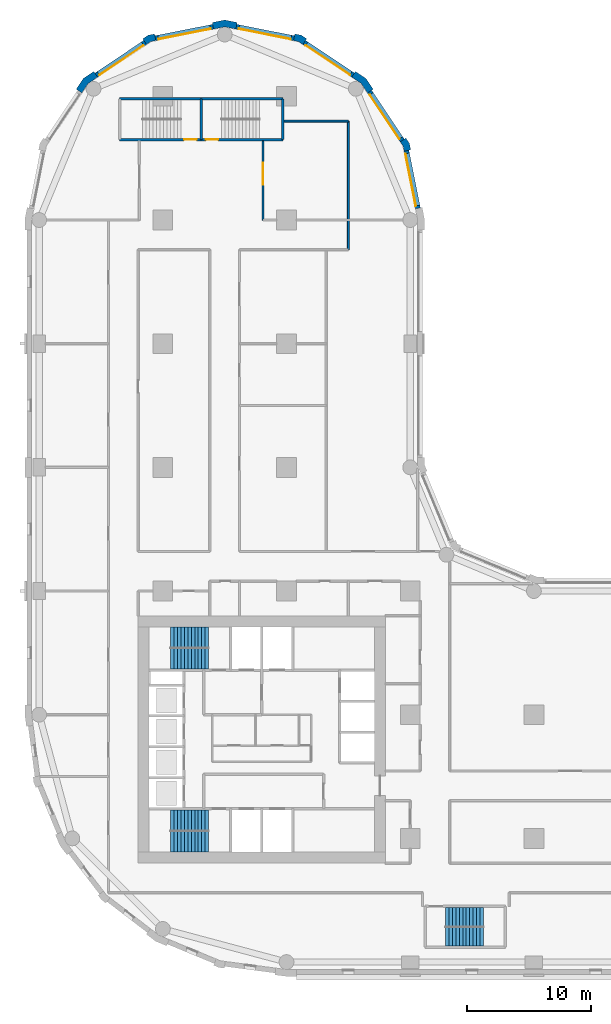
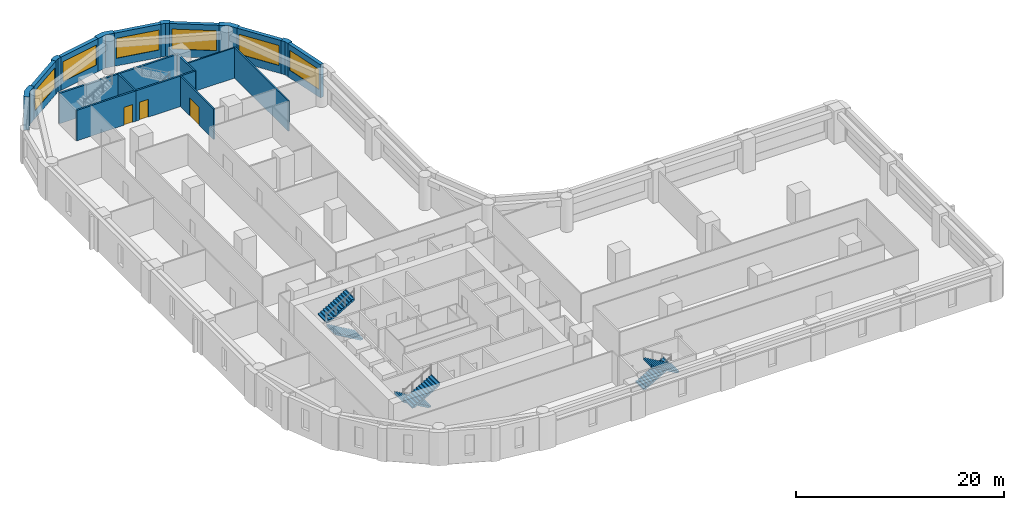
# One storey, part 7 of 10: 21 walls, 6 stair flights, 6 windows, 3 doors, 9 openings, 3 elements without a shape of their own.
"""IFC4 building model written with IfcOpenShell, lengths in metres."""

from ifc_helpers import new_model, si_unit, direction, frame, frame_2d, origin, place, context, subcontext, project, spatial, polyline, rectangle, outline, extrude, material, layer, layer_set, type_object, element, fill, aggregate, save


model = new_model("IFC4")

# Units and contexts
model_context = context("Model", 3, precision=1e-05, world=origin(), true_north=direction((0.0, 1.0)))
body_context = subcontext(model_context, "Body", "Model", "MODEL_VIEW")
ifc_project = project(units=[si_unit("LENGTHUNIT", "METRE"), si_unit("AREAUNIT", "SQUARE_METRE"), si_unit("VOLUMEUNIT", "CUBIC_METRE"), si_unit("PLANEANGLEUNIT", "RADIAN"), si_unit("MASSUNIT", "GRAM", prefix="KILO")], contexts=[model_context])

# Site, building, storey
site_placement = place(None, origin())
site = spatial("IfcSite", under=ifc_project, at=site_placement, CompositionType="ELEMENT")
building_placement = place(site_placement, origin())
building = spatial("IfcBuilding", under=site, at=building_placement, Name="Qaws Garden Tower", CompositionType="ELEMENT")
storey_placement = place(building_placement, frame((0.0, 0.0, 66.60009765625)))
storey = spatial("IfcBuildingStorey", under=building, at=storey_placement, Name="L16", CompositionType="ELEMENT", Elevation=66.60009765625)

# Wall, opening, window
ifc_material_1 = material(Name="Clay facing brick masonry", Category="masonry")
ifc_layer_1 = layer(ifc_material_1, 0.39990234375)
ifc_layer_set_1 = layer_set([ifc_layer_1], Name="Clay facing brick masonry")
wall_type_1 = type_object("IfcWallType", Name="Brick infill wall 400", PredefinedType="SOLIDWALL", material=ifc_layer_set_1)
wall_1_placement = place(storey_placement, frame((30.628662109375, 60.940673828125, 0.0), z_axis=(0.0, 0.0, 1.0), x_axis=(-0.195098533057, 0.98078364709, 0.0)))
wall_1 = element("IfcWall", 1, at=wall_1_placement, inside=storey, type_object=wall_type_1, Name="E-L16-infill-15", PredefinedType="SOLIDWALL", context=body_context, shape_type="SweptSolid", body=[
    extrude(rectangle(XDim=4.752685546875, YDim=0.39990234375, at=frame_2d((2.37646484375, 0.0))), origin(), (0.0, 0.0, 1.0), 3.89990234375),
])
opening_1_placement = place(wall_1_placement, frame((0.226318359375, 0.0, 0.89990234375)))
opening_1 = element("IfcOpeningElement", 2, at=opening_1_placement, cuts=wall_1, Name="Opening W06", PredefinedType="OPENING", context=body_context, shape_type="SweptSolid", body=[
    extrude(rectangle(XDim=4.300048828125, YDim=2.35009765625, at=frame_2d((2.14990234375, 1.175048828125))), frame((0.0, 0.2099609375, 0.0), z_axis=(0.0, -1.0, 0.0), x_axis=(1.0, 0.0, 0.0)), (0.0, 0.0, 1.0), 0.419921875),
])
ifc_material_2 = material(Name="Aluminium framed window, clear glazing", Category="aluminium")
window_type = type_object("IfcWindowType", Name="Ribbon window 4300 x 2350", PartitioningType="DOUBLE_PANEL_VERTICAL", PredefinedType="WINDOW", material=ifc_material_2)
window_1_placement = place(opening_1_placement, origin())
window_1 = element("IfcWindow", 3, at=window_1_placement, inside=storey, type_object=window_type, Name="E-L16-window-15-0", OverallHeight=2.35009765625, OverallWidth=4.300048828125, PartitioningType="SINGLE_PANEL", PredefinedType="WINDOW", context=body_context, shape_type="SweptSolid", body=[
    extrude(rectangle(XDim=4.300048828125, YDim=2.35009765625, at=frame_2d((2.14990234375, 1.175048828125))), frame((0.0, 0.159912109375, 0.0), z_axis=(0.0, -1.0, 0.0), x_axis=(1.0, 0.0, 0.0)), (0.0, 0.0, 1.0), 0.06005859375),
])
fill(opening_1, window_1)

wall_2_placement = place(storey_placement, frame((29.356689453125, 66.43408203125, 0.0), z_axis=(0.0, 0.0, 1.0), x_axis=(-0.555541552266, 0.831488775454, 0.0)))
wall_2 = element("IfcWall", 4, at=wall_2_placement, inside=storey, type_object=wall_type_1, Name="E-L16-infill-16", PredefinedType="SOLIDWALL", context=body_context, shape_type="SweptSolid", body=[
    extrude(rectangle(XDim=4.752685546875, YDim=0.39990234375, at=frame_2d((2.37646484375, 0.0))), origin(), (0.0, 0.0, 1.0), 3.89990234375),
])
opening_2_placement = place(wall_2_placement, frame((0.226318359375, 0.0, 0.89990234375)))
opening_2 = element("IfcOpeningElement", 5, at=opening_2_placement, cuts=wall_2, Name="Opening W06", PredefinedType="OPENING", context=body_context, shape_type="SweptSolid", body=[
    extrude(rectangle(XDim=4.300048828125, YDim=2.35009765625, at=frame_2d((2.14990234375, 1.175048828125))), frame((0.0, 0.2099609375, 0.0), z_axis=(0.0, -1.0, 0.0), x_axis=(1.0, 0.0, 0.0)), (0.0, 0.0, 1.0), 0.419921875),
])
window_2_placement = place(opening_2_placement, origin())
window_2 = element("IfcWindow", 6, at=window_2_placement, inside=storey, type_object=window_type, Name="E-L16-window-16-0", OverallHeight=2.35009765625, OverallWidth=4.300048828125, PartitioningType="SINGLE_PANEL", PredefinedType="WINDOW", context=body_context, shape_type="SweptSolid", body=[
    extrude(rectangle(XDim=4.300048828125, YDim=2.35009765625, at=frame_2d((2.14990234375, 1.175048828125))), frame((0.0, 0.159912109375, 0.0), z_axis=(0.0, -1.0, 0.0), x_axis=(1.0, 0.0, 0.0)), (0.0, 0.0, 1.0), 0.06005859375),
])
fill(opening_2, window_2)

wall_3_placement = place(storey_placement, frame((25.385986328125, 71.71630859375, 0.0), z_axis=(0.0, 0.0, 1.0), x_axis=(-0.831488775454, 0.555541552266, 0.0)))
wall_3 = element("IfcWall", 7, at=wall_3_placement, inside=storey, type_object=wall_type_1, Name="E-L16-infill-17", PredefinedType="SOLIDWALL", context=body_context, shape_type="SweptSolid", body=[
    extrude(rectangle(XDim=4.752685546875, YDim=0.39990234375, at=frame_2d((2.37646484375, 0.0))), origin(), (0.0, 0.0, 1.0), 3.89990234375),
])
opening_3_placement = place(wall_3_placement, frame((0.226318359375, 0.0, 0.89990234375)))
opening_3 = element("IfcOpeningElement", 8, at=opening_3_placement, cuts=wall_3, Name="Opening W06", PredefinedType="OPENING", context=body_context, shape_type="SweptSolid", body=[
    extrude(rectangle(XDim=4.300048828125, YDim=2.35009765625, at=frame_2d((2.14990234375, 1.175048828125))), frame((0.0, 0.2099609375, 0.0), z_axis=(0.0, -1.0, 0.0), x_axis=(1.0, 0.0, 0.0)), (0.0, 0.0, 1.0), 0.419921875),
])
window_3_placement = place(opening_3_placement, origin())
window_3 = element("IfcWindow", 9, at=window_3_placement, inside=storey, type_object=window_type, Name="E-L16-window-17-0", OverallHeight=2.35009765625, OverallWidth=4.300048828125, PartitioningType="SINGLE_PANEL", PredefinedType="WINDOW", context=body_context, shape_type="SweptSolid", body=[
    extrude(rectangle(XDim=4.300048828125, YDim=2.35009765625, at=frame_2d((2.14990234375, 1.175048828125))), frame((0.0, 0.159912109375, 0.0), z_axis=(0.0, -1.0, 0.0), x_axis=(1.0, 0.0, 0.0)), (0.0, 0.0, 1.0), 0.06005859375),
])
fill(opening_3, window_3)

wall_4_placement = place(storey_placement, frame((20.60205078125, 74.701416015625, 0.0), z_axis=(0.0, 0.0, 1.0), x_axis=(-0.98078364709, 0.195098533057, 0.0)))
wall_4 = element("IfcWall", 10, at=wall_4_placement, inside=storey, type_object=wall_type_1, Name="E-L16-infill-18", PredefinedType="SOLIDWALL", context=body_context, shape_type="SweptSolid", body=[
    extrude(rectangle(XDim=4.752685546875, YDim=0.39990234375, at=frame_2d((2.37646484375, 0.0))), origin(), (0.0, 0.0, 1.0), 3.89990234375),
])
opening_4_placement = place(wall_4_placement, frame((0.226318359375, 0.0, 0.89990234375)))
opening_4 = element("IfcOpeningElement", 11, at=opening_4_placement, cuts=wall_4, Name="Opening W06", PredefinedType="OPENING", context=body_context, shape_type="SweptSolid", body=[
    extrude(rectangle(XDim=4.300048828125, YDim=2.35009765625, at=frame_2d((2.14990234375, 1.175048828125))), frame((0.0, 0.2099609375, 0.0), z_axis=(0.0, -1.0, 0.0), x_axis=(1.0, 0.0, 0.0)), (0.0, 0.0, 1.0), 0.419921875),
])
window_4_placement = place(opening_4_placement, origin())
window_4 = element("IfcWindow", 12, at=window_4_placement, inside=storey, type_object=window_type, Name="E-L16-window-18-0", OverallHeight=2.35009765625, OverallWidth=4.300048828125, PartitioningType="SINGLE_PANEL", PredefinedType="WINDOW", context=body_context, shape_type="SweptSolid", body=[
    extrude(rectangle(XDim=4.300048828125, YDim=2.35009765625, at=frame_2d((2.14990234375, 1.175048828125))), frame((0.0, 0.159912109375, 0.0), z_axis=(0.0, -1.0, 0.0), x_axis=(1.0, 0.0, 0.0)), (0.0, 0.0, 1.0), 0.06005859375),
])
fill(opening_4, window_4)

wall_5_placement = place(storey_placement, frame((14.059326171875, 75.628662109375, 0.0), z_axis=(0.0, 0.0, 1.0), x_axis=(-0.98078364709, -0.195098533057, 0.0)))
wall_5 = element("IfcWall", 13, at=wall_5_placement, inside=storey, type_object=wall_type_1, Name="E-L16-infill-19", PredefinedType="SOLIDWALL", context=body_context, shape_type="SweptSolid", body=[
    extrude(rectangle(XDim=4.752685546875, YDim=0.39990234375, at=frame_2d((2.37646484375, 0.0))), origin(), (0.0, 0.0, 1.0), 3.89990234375),
])
opening_5_placement = place(wall_5_placement, frame((0.226318359375, 0.0, 0.89990234375)))
opening_5 = element("IfcOpeningElement", 14, at=opening_5_placement, cuts=wall_5, Name="Opening W06", PredefinedType="OPENING", context=body_context, shape_type="SweptSolid", body=[
    extrude(rectangle(XDim=4.300048828125, YDim=2.35009765625, at=frame_2d((2.14990234375, 1.175048828125))), frame((0.0, 0.2099609375, 0.0), z_axis=(0.0, -1.0, 0.0), x_axis=(1.0, 0.0, 0.0)), (0.0, 0.0, 1.0), 0.419921875),
])
window_5_placement = place(opening_5_placement, origin())
window_5 = element("IfcWindow", 15, at=window_5_placement, inside=storey, type_object=window_type, Name="E-L16-window-19-0", OverallHeight=2.35009765625, OverallWidth=4.300048828125, PartitioningType="SINGLE_PANEL", PredefinedType="WINDOW", context=body_context, shape_type="SweptSolid", body=[
    extrude(rectangle(XDim=4.300048828125, YDim=2.35009765625, at=frame_2d((2.14990234375, 1.175048828125))), frame((0.0, 0.159912109375, 0.0), z_axis=(0.0, -1.0, 0.0), x_axis=(1.0, 0.0, 0.0)), (0.0, 0.0, 1.0), 0.06005859375),
])
fill(opening_5, window_5)

wall_6_placement = place(storey_placement, frame((8.56591796875, 74.356689453125, 0.0), z_axis=(0.0, 0.0, 1.0), x_axis=(-0.831488775454, -0.555541552266, 0.0)))
wall_6 = element("IfcWall", 16, at=wall_6_placement, inside=storey, type_object=wall_type_1, Name="E-L16-infill-20", PredefinedType="SOLIDWALL", context=body_context, shape_type="SweptSolid", body=[
    extrude(rectangle(XDim=4.752685546875, YDim=0.39990234375, at=frame_2d((2.37646484375, 0.0))), origin(), (0.0, 0.0, 1.0), 3.89990234375),
])
opening_6_placement = place(wall_6_placement, frame((0.226318359375, 0.0, 0.89990234375)))
opening_6 = element("IfcOpeningElement", 17, at=opening_6_placement, cuts=wall_6, Name="Opening W06", PredefinedType="OPENING", context=body_context, shape_type="SweptSolid", body=[
    extrude(rectangle(XDim=4.300048828125, YDim=2.35009765625, at=frame_2d((2.14990234375, 1.175048828125))), frame((0.0, 0.2099609375, 0.0), z_axis=(0.0, -1.0, 0.0), x_axis=(1.0, 0.0, 0.0)), (0.0, 0.0, 1.0), 0.419921875),
])
window_6_placement = place(opening_6_placement, origin())
window_6 = element("IfcWindow", 18, at=window_6_placement, inside=storey, type_object=window_type, Name="E-L16-window-20-0", OverallHeight=2.35009765625, OverallWidth=4.300048828125, PartitioningType="SINGLE_PANEL", PredefinedType="WINDOW", context=body_context, shape_type="SweptSolid", body=[
    extrude(rectangle(XDim=4.300048828125, YDim=2.35009765625, at=frame_2d((2.14990234375, 1.175048828125))), frame((0.0, 0.159912109375, 0.0), z_axis=(0.0, -1.0, 0.0), x_axis=(1.0, 0.0, 0.0)), (0.0, 0.0, 1.0), 0.06005859375),
])
fill(opening_6, window_6)

# Walls
ifc_material_3 = material(Name="Clay facing brick masonry", Category="masonry")
ifc_layer_2 = layer(ifc_material_3, 0.550048828125)
ifc_layer_set_2 = layer_set([ifc_layer_2], Name="Clay facing brick masonry")
wall_type_2 = type_object("IfcWallType", Name="Brick kink pier 550 x 600", PredefinedType="SOLIDWALL", material=ifc_layer_set_2)
placement = place(storey_placement, origin())
element("IfcWall", 19, at=placement, inside=storey, type_object=wall_type_2, Name="E-L16-pier-16", PredefinedType="SOLIDWALL", context=body_context, shape_type="SweptSolid", body=[
    extrude(outline(polyline([(29.8974609375, 65.64111328125), (30.044677734375, 65.67041015625), (29.94140625, 66.18896484375), (29.647705078125, 66.628662109375), (29.52294921875, 66.545166015625), (29.1904296875, 66.322998046875), (29.42333984375, 65.974365234375), (29.505126953125, 65.56298828125), (29.8974609375, 65.64111328125)])), origin(), (0.0, 0.0, 1.0), 3.89990234375),
])
element("IfcWall", 20, at=placement, inside=storey, type_object=wall_type_2, Name="E-L16-pier-18", PredefinedType="SOLIDWALL", context=body_context, shape_type="SweptSolid", body=[
    extrude(outline(polyline([(21.545166015625, 74.52294921875), (21.628662109375, 74.647705078125), (21.18896484375, 74.94140625), (20.67041015625, 75.044677734375), (20.64111328125, 74.8974609375), (20.56298828125, 74.505126953125), (20.974365234375, 74.42333984375), (21.322998046875, 74.1904296875), (21.545166015625, 74.52294921875)])), origin(), (0.0, 0.0, 1.0), 3.89990234375),
])
element("IfcWall", 21, at=placement, inside=storey, type_object=wall_type_2, Name="E-L16-pier-20", PredefinedType="SOLIDWALL", context=body_context, shape_type="SweptSolid", body=[
    extrude(outline(polyline([(9.35888671875, 74.8974609375), (9.32958984375, 75.044677734375), (8.81103515625, 74.94140625), (8.371337890625, 74.647705078125), (8.454833984375, 74.52294921875), (8.677001953125, 74.1904296875), (9.025634765625, 74.42333984375), (9.43701171875, 74.505126953125), (9.35888671875, 74.8974609375)])), origin(), (0.0, 0.0, 1.0), 3.89990234375),
])
ifc_material_4 = material(Name="Clay facing brick masonry", Category="masonry")
ifc_layer_3 = layer(ifc_material_4, 0.550048828125)
ifc_layer_set_3 = layer_set([ifc_layer_3], Name="Clay facing brick masonry")
wall_type_3 = type_object("IfcWallType", Name="Brick pier 550 x 1600", PredefinedType="SOLIDWALL", material=ifc_layer_set_3)
element("IfcWall", 22, at=placement, inside=storey, type_object=wall_type_3, Name="E-L16-pier-17", PredefinedType="SOLIDWALL", context=body_context, shape_type="SweptSolid", body=[
    extrude(outline(polyline([(26.882568359375, 70.4970703125), (27.00732421875, 70.580322265625), (26.435791015625, 71.435791015625), (25.580322265625, 72.00732421875), (25.4970703125, 71.882568359375), (25.274658203125, 71.550048828125), (26.0390625, 71.0390625), (26.550048828125, 70.274658203125), (26.882568359375, 70.4970703125)])), origin(), (0.0, 0.0, 1.0), 3.89990234375),
])
element("IfcWall", 23, at=placement, inside=storey, type_object=wall_type_3, Name="E-L16-pier-19", PredefinedType="SOLIDWALL", context=body_context, shape_type="SweptSolid", body=[
    extrude(outline(polyline([(15.979736328125, 75.82470703125), (16.009033203125, 75.971923828125), (15.0, 76.172607421875), (13.990966796875, 75.971923828125), (14.020263671875, 75.82470703125), (14.098388671875, 75.432373046875), (15.0, 75.61181640625), (15.901611328125, 75.432373046875), (15.979736328125, 75.82470703125)])), origin(), (0.0, 0.0, 1.0), 3.89990234375),
])
element("IfcWall", 24, at=placement, inside=storey, type_object=wall_type_3, Name="E-L16-pier-21", PredefinedType="SOLIDWALL", context=body_context, shape_type="SweptSolid", body=[
    extrude(outline(polyline([(4.5029296875, 71.882568359375), (4.419677734375, 72.00732421875), (3.564208984375, 71.435791015625), (2.99267578125, 70.580322265625), (3.117431640625, 70.4970703125), (3.449951171875, 70.274658203125), (3.9609375, 71.0390625), (4.725341796875, 71.550048828125), (4.5029296875, 71.882568359375)])), origin(), (0.0, 0.0, 1.0), 3.89990234375),
])

# Wall, opening, door
ifc_material_5 = material(Name="Concrete C80", Category="concrete")
ifc_layer_4 = layer(ifc_material_5, 0.199951171875)
ifc_layer_set_4 = layer_set([ifc_layer_4], Name="Concrete C80")
wall_type_4 = type_object("IfcWallType", Name="Core shaft wall 200 C80", PredefinedType="SHEAR", material=ifc_layer_set_4)
wall_13_placement = place(storey_placement, frame((6.5, 66.5, 0.0), z_axis=(0.0, 0.0, 1.0), x_axis=(1.0, 0.0, 0.0)))
wall_13 = element("IfcWall", 25, at=wall_13_placement, inside=storey, type_object=wall_type_4, Name="Shaft wall", PredefinedType="SHEAR", context=body_context, shape_type="SweptSolid", body=[
    extrude(rectangle(XDim=6.60009765625, YDim=0.199951171875, at=frame_2d((3.300048828125, 0.0))), origin(), (0.0, 0.0, 1.0), 3.579833984375),
])
opening_7_placement = place(wall_13_placement, frame((5.22509765625, 0.0, 0.0)))
opening_7 = element("IfcOpeningElement", 26, at=opening_7_placement, cuts=wall_13, Name="Opening SD13", PredefinedType="OPENING", context=body_context, shape_type="SweptSolid", body=[
    extrude(rectangle(XDim=1.0, YDim=2.10009765625, at=frame_2d((0.5, 1.050048828125))), frame((0.0, 0.10986328125, 0.0), z_axis=(0.0, -1.0, 0.0), x_axis=(1.0, 0.0, 0.0)), (0.0, 0.0, 1.0), 0.219970703125),
])
ifc_material_6 = material(Name="Steel S235", Category="steel")
door_type_1 = type_object("IfcDoorType", Name="Stair door 1000x2100", OperationType="SINGLE_SWING_RIGHT", PredefinedType="DOOR", material=ifc_material_6)
door_1_placement = place(opening_7_placement, origin())
door_1 = element("IfcDoor", 27, at=door_1_placement, inside=storey, type_object=door_type_1, Name="Stair 6 door", OperationType="SINGLE_SWING_RIGHT", OverallHeight=2.10009765625, OverallWidth=1.0, PredefinedType="DOOR", context=body_context, shape_type="SweptSolid", body=[
    extrude(rectangle(XDim=1.0, YDim=2.10009765625, at=frame_2d((0.5, 1.050048828125))), frame((0.0, 0.02490234375, 0.0), z_axis=(0.0, -1.0, 0.0), x_axis=(1.0, 0.0, 0.0)), (0.0, 0.0, 1.0), 0.050048828125),
])
fill(opening_7, door_1)

wall_14_placement = place(storey_placement, frame((13.10009765625, 66.5, 0.0), z_axis=(0.0, 0.0, 1.0), x_axis=(1.0, 0.0, 0.0)))
wall_14 = element("IfcWall", 28, at=wall_14_placement, inside=storey, type_object=wall_type_4, Name="Shaft wall", PredefinedType="SHEAR", context=body_context, shape_type="SweptSolid", body=[
    extrude(rectangle(XDim=6.599853515625, YDim=0.199951171875, at=frame_2d((3.2998046875, 0.0))), origin(), (0.0, 0.0, 1.0), 3.579833984375),
])
opening_8_placement = place(wall_14_placement, frame((0.375, 0.0, 0.0)))
opening_8 = element("IfcOpeningElement", 29, at=opening_8_placement, cuts=wall_14, Name="Opening SD14", PredefinedType="OPENING", context=body_context, shape_type="SweptSolid", body=[
    extrude(rectangle(XDim=1.0, YDim=2.10009765625, at=frame_2d((0.5, 1.050048828125))), frame((0.0, 0.10986328125, 0.0), z_axis=(0.0, -1.0, 0.0), x_axis=(1.0, 0.0, 0.0)), (0.0, 0.0, 1.0), 0.219970703125),
])
door_2_placement = place(opening_8_placement, origin())
door_2 = element("IfcDoor", 30, at=door_2_placement, inside=storey, type_object=door_type_1, Name="Stair 7 door", OperationType="SINGLE_SWING_LEFT", OverallHeight=2.10009765625, OverallWidth=1.0, PredefinedType="DOOR", context=body_context, shape_type="SweptSolid", body=[
    extrude(rectangle(XDim=1.0, YDim=2.10009765625, at=frame_2d((0.5, 1.050048828125))), frame((0.0, 0.02490234375, 0.0), z_axis=(0.0, -1.0, 0.0), x_axis=(1.0, 0.0, 0.0)), (0.0, 0.0, 1.0), 0.050048828125),
])
fill(opening_8, door_2)

# Walls
wall_15_placement = place(storey_placement, frame((6.5, 69.800048828125, 0.0), z_axis=(0.0, 0.0, 1.0), x_axis=(1.0, 0.0, 0.0)))
element("IfcWall", 31, at=wall_15_placement, inside=storey, type_object=wall_type_4, Name="Shaft wall", PredefinedType="SHEAR", context=body_context, shape_type="SweptSolid", body=[
    extrude(rectangle(XDim=6.60009765625, YDim=0.199951171875, at=frame_2d((3.300048828125, 0.0))), origin(), (0.0, 0.0, 1.0), 3.579833984375),
])
wall_16_placement = place(storey_placement, frame((13.10009765625, 69.800048828125, 0.0), z_axis=(0.0, 0.0, 1.0), x_axis=(1.0, 0.0, 0.0)))
element("IfcWall", 32, at=wall_16_placement, inside=storey, type_object=wall_type_4, Name="Shaft wall", PredefinedType="SHEAR", context=body_context, shape_type="SweptSolid", body=[
    extrude(rectangle(XDim=6.599853515625, YDim=0.199951171875, at=frame_2d((3.2998046875, 0.0))), origin(), (0.0, 0.0, 1.0), 3.579833984375),
])
for number, where, z_axis, x_axis, name in (
    (33, (13.10009765625, 66.5, 0.0), (0.0, 0.0, 1.0), (0.0, 1.0, 0.0), "Shaft wall"),
    (34, (19.699951171875, 66.5, 0.0), (0.0, 0.0, 1.0), (0.0, 1.0, 0.0), "Shaft wall"),
):
    element("IfcWall", number, at=place(storey_placement, frame(where, z_axis=z_axis, x_axis=x_axis)), inside=storey, type_object=wall_type_4, Name=name, PredefinedType="SHEAR", context=body_context, shape_type="SweptSolid", body=[
        extrude(rectangle(XDim=3.300048828125, YDim=0.199951171875, at=frame_2d((1.64990234375, 0.0))), origin(), (0.0, 0.0, 1.0), 3.579833984375),
    ])

# Wall, opening, door
ifc_material_7 = material(Name="Gypsum board partition")
ifc_layer_5 = layer(ifc_material_7, 0.14990234375)
ifc_layer_set_5 = layer_set([ifc_layer_5], Name="Gypsum board partition")
wall_type_5 = type_object("IfcWallType", Name="PARTITION 150 EI 60", PredefinedType="PARTITIONING", material=ifc_layer_set_5)
wall_17_placement = place(storey_placement, frame((18.10009765625, 60.0, 0.0), z_axis=(0.0, 0.0, 1.0), x_axis=(0.0, 1.0, 0.0)))
wall_17 = element("IfcWall", 35, at=wall_17_placement, inside=storey, type_object=wall_type_5, Name="O-L16-wall-009", PredefinedType="PARTITIONING", context=body_context, shape_type="SweptSolid", body=[
    extrude(rectangle(XDim=6.39990234375, YDim=0.14990234375, at=frame_2d((3.199951171875, 0.0))), origin(), (0.0, 0.0, 1.0), 3.579833984375),
])
opening_9_placement = place(wall_17_placement, frame((2.85009765625, 0.0, 0.0)))
opening_9 = element("IfcOpeningElement", 36, at=opening_9_placement, cuts=wall_17, Name="Opening A515", PredefinedType="OPENING", context=body_context, shape_type="SweptSolid", body=[
    extrude(rectangle(XDim=1.800048828125, YDim=2.10009765625, at=frame_2d((0.89990234375, 1.050048828125))), frame((0.0, 0.0849609375, 0.0), z_axis=(0.0, -1.0, 0.0), x_axis=(1.0, 0.0, 0.0)), (0.0, 0.0, 1.0), 0.169921875),
])
ifc_material_8 = material(Name="Timber door leaf", Category="wood")
door_type_2 = type_object("IfcDoorType", Name="DOUBLE DOOR 1800 X 2100", OperationType="DOUBLE_DOOR_SINGLE_SWING", PredefinedType="DOOR", material=ifc_material_8)
door_3_placement = place(opening_9_placement, frame((1.800048828125, 0.0, 0.0), z_axis=(0.0, 0.0, 1.0), x_axis=(-1.0, 0.0, 0.0)))
door_3 = element("IfcDoor", 37, at=door_3_placement, inside=storey, type_object=door_type_2, Name="O-L16-door-015", OperationType="DOUBLE_DOOR_SINGLE_SWING", OverallHeight=2.10009765625, OverallWidth=1.800048828125, PredefinedType="DOOR", context=body_context, shape_type="SweptSolid", body=[
    extrude(rectangle(XDim=1.800048828125, YDim=2.10009765625, at=frame_2d((0.89990234375, 1.050048828125))), frame((0.0, 0.02490234375, 0.0), z_axis=(0.0, -1.0, 0.0), x_axis=(1.0, 0.0, 0.0)), (0.0, 0.0, 1.0), 0.050048828125),
])
fill(opening_9, door_3)

# Walls
wall_18_placement = place(storey_placement, frame((25.0, 57.60009765625, 0.0), z_axis=(0.0, 0.0, 1.0), x_axis=(0.0, 1.0, 0.0)))
element("IfcWall", 38, at=wall_18_placement, inside=storey, type_object=wall_type_5, Name="O-L16-wall-012", PredefinedType="PARTITIONING", context=body_context, shape_type="SweptSolid", body=[
    extrude(rectangle(XDim=10.39990234375, YDim=0.14990234375, at=frame_2d((5.199951171875, 0.0))), origin(), (0.0, 0.0, 1.0), 3.579833984375),
])
wall_19_placement = place(storey_placement, frame((19.800048828125, 68.0, 0.0), z_axis=(0.0, 0.0, 1.0), x_axis=(1.0, 0.0, 0.0)))
element("IfcWall", 39, at=wall_19_placement, inside=storey, type_object=wall_type_5, Name="O-L16-wall-056", PredefinedType="PARTITIONING", context=body_context, shape_type="SweptSolid", body=[
    extrude(rectangle(XDim=5.199951171875, YDim=0.14990234375, at=frame_2d((2.60009765625, 0.0))), origin(), (0.0, 0.0, 1.0), 3.579833984375),
])

# Stair, stair flights
ifc_material_9 = material(Name="Concrete C40", Category="concrete")
stair_type_1 = type_object("IfcStairType", Name="Exit stair 1350", PredefinedType="HALF_TURN_STAIR", material=ifc_material_9)
stair_1 = element("IfcStair", 40, at=placement, inside=storey, type_object=stair_type_1, Name="Stair 5", PredefinedType="HALF_TURN_STAIR")
ifc_material_10 = material(Name="Concrete C40", Category="concrete")
stair_flight_type_1 = type_object("IfcStairFlightType", Name="Stair flight 1350", PredefinedType="STRAIGHT", material=ifc_material_10)
stair_flight_1_placement = place(storey_placement, frame((32.85009765625, 3.625, 0.0), z_axis=(0.0, 0.0, 1.0), x_axis=(1.0, 0.0, 0.0)))
stair_flight_1 = element("IfcStairFlight", 41, at=stair_flight_1_placement, type_object=stair_flight_type_1, Name="ST5 flight 1", NumberOfRisers=12, NumberOfTreads=11, PredefinedType="STRAIGHT", RiserHeight=0.1625, TreadLength=0.28, context=body_context, shape_type="SweptSolid", body=[
    extrude(outline(polyline([(-0.0029296875, 0.0), (-0.0029296875, 0.16259765625), (0.0, 0.16259765625), (0.280029296875, 0.16259765625), (0.280029296875, 0.324951171875), (0.56005859375, 0.324951171875), (0.56005859375, 0.487548828125), (0.840087890625, 0.487548828125), (0.840087890625, 0.64990234375), (1.1201171875, 0.64990234375), (1.1201171875, 0.8125), (1.39990234375, 0.8125), (1.39990234375, 0.97509765625), (1.679931640625, 0.97509765625), (1.679931640625, 1.137451171875), (1.9599609375, 1.137451171875), (1.9599609375, 1.300048828125), (2.239990234375, 1.300048828125), (2.239990234375, 1.46240234375), (2.52001953125, 1.46240234375), (2.52001953125, 1.625), (2.800048828125, 1.625), (2.800048828125, 1.78759765625), (3.080078125, 1.78759765625), (3.080078125, 1.949951171875), (3.0830078125, 1.949951171875), (3.0830078125, 1.6142578125), (3.080078125, 1.6142578125), (0.298583984375, 0.0), (-0.0029296875, 0.0)])), frame((0.0, 0.77490234375, 0.0), z_axis=(0.0, -1.0, 0.0), x_axis=(1.0, 0.0, 0.0)), (0.0, 0.0, 1.0), 1.550048828125),
])
stair_flight_2_placement = place(storey_placement, frame((35.929931640625, 2.074951171875, 1.949951171875), z_axis=(0.0, 0.0, 1.0), x_axis=(-1.0, 0.0, 0.0)))
stair_flight_2 = element("IfcStairFlight", 42, at=stair_flight_2_placement, type_object=stair_flight_type_1, Name="ST5 flight 2", NumberOfRisers=12, NumberOfTreads=11, PredefinedType="STRAIGHT", RiserHeight=0.1625, TreadLength=0.28, context=body_context, shape_type="SweptSolid", body=[
    extrude(outline(polyline([(-0.0029296875, 0.0), (-0.0029296875, 0.16259765625), (0.0, 0.16259765625), (0.280029296875, 0.16259765625), (0.280029296875, 0.324951171875), (0.56005859375, 0.324951171875), (0.56005859375, 0.487548828125), (0.840087890625, 0.487548828125), (0.840087890625, 0.64990234375), (1.1201171875, 0.64990234375), (1.1201171875, 0.8125), (1.39990234375, 0.8125), (1.39990234375, 0.97509765625), (1.679931640625, 0.97509765625), (1.679931640625, 1.137451171875), (1.9599609375, 1.137451171875), (1.9599609375, 1.300048828125), (2.239990234375, 1.300048828125), (2.239990234375, 1.46240234375), (2.52001953125, 1.46240234375), (2.52001953125, 1.625), (2.800048828125, 1.625), (2.800048828125, 1.78759765625), (3.080078125, 1.78759765625), (3.080078125, 1.949951171875), (3.0830078125, 1.949951171875), (3.0830078125, 1.6142578125), (3.080078125, 1.6142578125), (0.298583984375, 0.0), (-0.0029296875, 0.0)])), frame((0.0, 0.77490234375, 0.0), z_axis=(0.0, -1.0, 0.0), x_axis=(1.0, 0.0, 0.0)), (0.0, 0.0, 1.0), 1.550048828125),
])
aggregate(stair_1, [stair_flight_1, stair_flight_2])

ifc_material_11 = material(Name="Concrete C40", Category="concrete")
stair_type_2 = type_object("IfcStairType", Name="Exit stair 1500", PredefinedType="HALF_TURN_STAIR", material=ifc_material_11)
stair_2 = element("IfcStair", 43, at=placement, inside=storey, type_object=stair_type_2, Name="Stair 1", PredefinedType="HALF_TURN_STAIR")
ifc_material_12 = material(Name="Concrete C40", Category="concrete")
stair_flight_type_2 = type_object("IfcStairFlightType", Name="Stair flight 1500", PredefinedType="STRAIGHT", material=ifc_material_12)
stair_flight_3_placement = place(storey_placement, frame((13.699951171875, 11.449951171875, 0.0), z_axis=(0.0, 0.0, 1.0), x_axis=(-1.0, 0.0, 0.0)))
stair_flight_3 = element("IfcStairFlight", 44, at=stair_flight_3_placement, type_object=stair_flight_type_2, Name="ST1 flight 1", NumberOfRisers=12, NumberOfTreads=11, PredefinedType="STRAIGHT", RiserHeight=0.1625, TreadLength=0.28, context=body_context, shape_type="SweptSolid", body=[
    extrude(outline(polyline([(-0.0029296875, 0.0), (-0.0029296875, 0.16259765625), (0.0, 0.16259765625), (0.280029296875, 0.16259765625), (0.280029296875, 0.324951171875), (0.56005859375, 0.324951171875), (0.56005859375, 0.487548828125), (0.840087890625, 0.487548828125), (0.840087890625, 0.64990234375), (1.1201171875, 0.64990234375), (1.1201171875, 0.8125), (1.39990234375, 0.8125), (1.39990234375, 0.97509765625), (1.679931640625, 0.97509765625), (1.679931640625, 1.137451171875), (1.9599609375, 1.137451171875), (1.9599609375, 1.300048828125), (2.239990234375, 1.300048828125), (2.239990234375, 1.46240234375), (2.52001953125, 1.46240234375), (2.52001953125, 1.625), (2.800048828125, 1.625), (2.800048828125, 1.78759765625), (3.080078125, 1.78759765625), (3.080078125, 1.949951171875), (3.0830078125, 1.949951171875), (3.0830078125, 1.6142578125), (3.080078125, 1.6142578125), (0.298583984375, 0.0), (-0.0029296875, 0.0)])), frame((0.0, 0.85009765625, 0.0), z_axis=(0.0, -1.0, 0.0), x_axis=(1.0, 0.0, 0.0)), (0.0, 0.0, 1.0), 1.699951171875),
])
stair_flight_4_placement = place(storey_placement, frame((10.6201171875, 9.75, 1.949951171875), z_axis=(0.0, 0.0, 1.0), x_axis=(1.0, 0.0, 0.0)))
stair_flight_4 = element("IfcStairFlight", 45, at=stair_flight_4_placement, type_object=stair_flight_type_2, Name="ST1 flight 2", NumberOfRisers=12, NumberOfTreads=11, PredefinedType="STRAIGHT", RiserHeight=0.1625, TreadLength=0.28, context=body_context, shape_type="SweptSolid", body=[
    extrude(outline(polyline([(-0.0029296875, 0.0), (-0.0029296875, 0.16259765625), (0.0, 0.16259765625), (0.280029296875, 0.16259765625), (0.280029296875, 0.324951171875), (0.56005859375, 0.324951171875), (0.56005859375, 0.487548828125), (0.840087890625, 0.487548828125), (0.840087890625, 0.64990234375), (1.1201171875, 0.64990234375), (1.1201171875, 0.8125), (1.39990234375, 0.8125), (1.39990234375, 0.97509765625), (1.679931640625, 0.97509765625), (1.679931640625, 1.137451171875), (1.9599609375, 1.137451171875), (1.9599609375, 1.300048828125), (2.239990234375, 1.300048828125), (2.239990234375, 1.46240234375), (2.52001953125, 1.46240234375), (2.52001953125, 1.625), (2.800048828125, 1.625), (2.800048828125, 1.78759765625), (3.080078125, 1.78759765625), (3.080078125, 1.949951171875), (3.0830078125, 1.949951171875), (3.0830078125, 1.6142578125), (3.080078125, 1.6142578125), (0.298583984375, 0.0), (-0.0029296875, 0.0)])), frame((0.0, 0.85009765625, 0.0), z_axis=(0.0, -1.0, 0.0), x_axis=(1.0, 0.0, 0.0)), (0.0, 0.0, 1.0), 1.699951171875),
])
aggregate(stair_2, [stair_flight_3, stair_flight_4])

stair_3 = element("IfcStair", 46, at=placement, inside=storey, type_object=stair_type_2, Name="Stair 4", PredefinedType="HALF_TURN_STAIR")
stair_flight_5_placement = place(storey_placement, frame((13.699951171875, 24.550048828125, 0.0), z_axis=(0.0, 0.0, 1.0), x_axis=(-1.0, 0.0, 0.0)))
stair_flight_5 = element("IfcStairFlight", 47, at=stair_flight_5_placement, type_object=stair_flight_type_2, Name="ST4 flight 1", NumberOfRisers=12, NumberOfTreads=11, PredefinedType="STRAIGHT", RiserHeight=0.1625, TreadLength=0.28, context=body_context, shape_type="SweptSolid", body=[
    extrude(outline(polyline([(-0.0029296875, 0.0), (-0.0029296875, 0.16259765625), (0.0, 0.16259765625), (0.280029296875, 0.16259765625), (0.280029296875, 0.324951171875), (0.56005859375, 0.324951171875), (0.56005859375, 0.487548828125), (0.840087890625, 0.487548828125), (0.840087890625, 0.64990234375), (1.1201171875, 0.64990234375), (1.1201171875, 0.8125), (1.39990234375, 0.8125), (1.39990234375, 0.97509765625), (1.679931640625, 0.97509765625), (1.679931640625, 1.137451171875), (1.9599609375, 1.137451171875), (1.9599609375, 1.300048828125), (2.239990234375, 1.300048828125), (2.239990234375, 1.46240234375), (2.52001953125, 1.46240234375), (2.52001953125, 1.625), (2.800048828125, 1.625), (2.800048828125, 1.78759765625), (3.080078125, 1.78759765625), (3.080078125, 1.949951171875), (3.0830078125, 1.949951171875), (3.0830078125, 1.6142578125), (3.080078125, 1.6142578125), (0.298583984375, 0.0), (-0.0029296875, 0.0)])), frame((0.0, 0.844970703125, 0.0), z_axis=(0.0, -1.0, 0.0), x_axis=(1.0, 0.0, 0.0)), (0.0, 0.0, 1.0), 1.68994140625),
])
stair_flight_6_placement = place(storey_placement, frame((10.6201171875, 26.25, 1.949951171875), z_axis=(0.0, 0.0, 1.0), x_axis=(1.0, 0.0, 0.0)))
stair_flight_6 = element("IfcStairFlight", 48, at=stair_flight_6_placement, type_object=stair_flight_type_2, Name="ST4 flight 2", NumberOfRisers=12, NumberOfTreads=11, PredefinedType="STRAIGHT", RiserHeight=0.1625, TreadLength=0.28, context=body_context, shape_type="SweptSolid", body=[
    extrude(outline(polyline([(-0.0029296875, 0.0), (-0.0029296875, 0.16259765625), (0.0, 0.16259765625), (0.280029296875, 0.16259765625), (0.280029296875, 0.324951171875), (0.56005859375, 0.324951171875), (0.56005859375, 0.487548828125), (0.840087890625, 0.487548828125), (0.840087890625, 0.64990234375), (1.1201171875, 0.64990234375), (1.1201171875, 0.8125), (1.39990234375, 0.8125), (1.39990234375, 0.97509765625), (1.679931640625, 0.97509765625), (1.679931640625, 1.137451171875), (1.9599609375, 1.137451171875), (1.9599609375, 1.300048828125), (2.239990234375, 1.300048828125), (2.239990234375, 1.46240234375), (2.52001953125, 1.46240234375), (2.52001953125, 1.625), (2.800048828125, 1.625), (2.800048828125, 1.78759765625), (3.080078125, 1.78759765625), (3.080078125, 1.949951171875), (3.0830078125, 1.949951171875), (3.0830078125, 1.6142578125), (3.080078125, 1.6142578125), (0.298583984375, 0.0), (-0.0029296875, 0.0)])), frame((0.0, 0.844970703125, 0.0), z_axis=(0.0, -1.0, 0.0), x_axis=(1.0, 0.0, 0.0)), (0.0, 0.0, 1.0), 1.68994140625),
])
aggregate(stair_3, [stair_flight_5, stair_flight_6])

save(model, "model.ifc")
